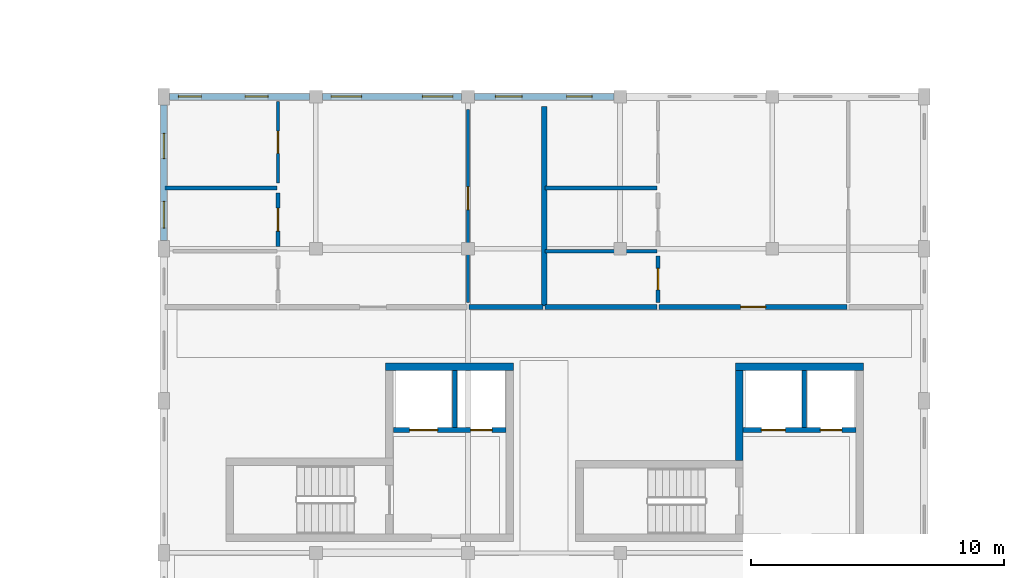
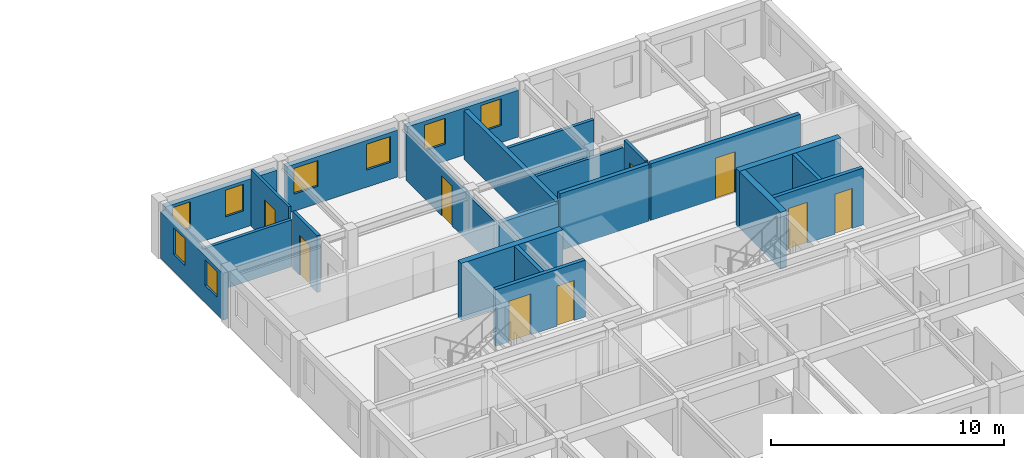
# One storey, part 11 of 23: 22 walls, 9 doors, 8 windows, 17 openings.
"""IFC4 building model written with IfcOpenShell, lengths in metres."""

import ifcopenshell
import ifcopenshell.guid

model = None  # the IFC model being written
_history = None  # IfcOwnerHistory: only IFC2X3 demands one
_inside = {}  # id of a spatial element -> (the spatial element, [elements in it])
_under = {}  # id of a project, library or spatial element -> (it, [spatial elements below it])
_declared = {}  # id of a project -> (the project, [libraries it declares])
_typed = {}  # id of a type object -> (the type object, [elements of that type])
_made_of = {}  # id of a material, layer set ... -> (it, [elements and type objects made of it])


def new_model(schema):
    """Start an empty IFC model of exactly this schema.

    Asked for "IFC4X3", IfcOpenShell would pick the latest addendum, in which some entities
    have other attributes; the version numbers below select the first issue.
    IFC2X3 requires an IfcOwnerHistory on every rooted entity: one is made here for all.
    """
    global model, _history
    if schema == "IFC4X3":
        model = ifcopenshell.file(schema_version=(4, 3, 0, 0))
    else:
        model = ifcopenshell.file(schema=schema)
    _inside.clear()
    _under.clear()
    _declared.clear()
    _typed.clear()
    _made_of.clear()
    _history = None
    if model.schema == "IFC2X3":
        org = make("IfcOrganization", Name="unknown")
        user = make(
            "IfcPersonAndOrganization",
            ThePerson=make("IfcPerson", FamilyName="unknown"),
            TheOrganization=org,
        )
        app = make(
            "IfcApplication",
            ApplicationDeveloper=org,
            Version="unknown",
            ApplicationFullName="unknown",
            ApplicationIdentifier="unknown",
        )
        _history = make(
            "IfcOwnerHistory",
            OwningUser=user,
            OwningApplication=app,
            ChangeAction="ADDED",
            CreationDate=0,
        )
    return model


def make(cls, **values):
    """One entity of the class cls with the attributes given. An attribute that is None is left unset."""
    return model.create_entity(
        cls, **{name: value for name, value in values.items() if value is not None}
    )


def rooted(cls, **values):
    """An entity with a GlobalId (a new one), such as an element, a storey or a relation."""
    return make(cls, GlobalId=ifcopenshell.guid.new(), OwnerHistory=_history, **values)


def si_unit(unit_type, name, prefix=None):
    """IfcSIUnit, for example si_unit("LENGTHUNIT", "METRE", prefix="MILLI")."""
    return make("IfcSIUnit", UnitType=unit_type, Prefix=prefix, Name=name)


def assignment(units):
    """IfcUnitAssignment: the units of a project."""
    return None if units is None else make("IfcUnitAssignment", Units=units)


def point(xyz):
    """IfcCartesianPoint."""
    return None if xyz is None else make("IfcCartesianPoint", Coordinates=xyz)


def direction(xyz):
    """IfcDirection."""
    return None if xyz is None else make("IfcDirection", DirectionRatios=xyz)


def frame(location, z_axis=None, x_axis=None):
    """IfcAxis2Placement3D, a coordinate frame: its origin and axes. An axis left out is left unset."""
    return make(
        "IfcAxis2Placement3D",
        Location=point(location),
        Axis=direction(z_axis),
        RefDirection=direction(x_axis),
    )


def frame_2d(location, x_axis=None):
    """IfcAxis2Placement2D, a coordinate frame in the plane: its origin and x axis."""
    return make(
        "IfcAxis2Placement2D", Location=point(location), RefDirection=direction(x_axis)
    )


def origin():
    """The frame at (0, 0, 0) with its axes left unset."""
    return frame((0.0, 0.0, 0.0))


def place(relative_to, where):
    """IfcLocalPlacement: puts the frame where relative to a parent placement (None: the world)."""
    return make(
        "IfcLocalPlacement", PlacementRelTo=relative_to, RelativePlacement=where
    )


def context(
    kind, dimensions, precision=None, world=None, true_north=None, identifier=None
):
    """IfcGeometricRepresentationContext, for example the 3D "Model" context."""
    return make(
        "IfcGeometricRepresentationContext",
        ContextIdentifier=identifier,
        ContextType=kind,
        CoordinateSpaceDimension=dimensions,
        Precision=precision,
        WorldCoordinateSystem=world,
        TrueNorth=true_north,
    )


def subcontext(parent, identifier, kind, view, scale=None):
    """IfcGeometricRepresentationSubContext, for example "Body" below "Model"."""
    return make(
        "IfcGeometricRepresentationSubContext",
        ContextIdentifier=identifier,
        ContextType=kind,
        ParentContext=parent,
        TargetScale=scale,
        TargetView=view,
    )


def project(units=None, contexts=None):
    """IfcProject with its units and contexts."""
    return rooted(
        "IfcProject",
        Name="project",
        RepresentationContexts=contexts,
        UnitsInContext=assignment(units),
    )


def spatial(cls, under=None, at=None, **own):
    """A site, building, storey or space (cls), placed at a placement, below another one or the project."""
    s = rooted(cls, ObjectPlacement=at, **own)
    if under is not None:
        _under.setdefault(under.id(), (under, []))[1].append(s)
    return s


def profile(cls, at=None, kind="AREA", **sizes):
    """A parametric profile (cls). Its sizes go by their IFC names, for example OverallWidth=200.0."""
    return make(cls, ProfileType=kind, Position=at, **sizes)


def rectangle(**sizes):
    """IfcRectangleProfileDef."""
    return profile("IfcRectangleProfileDef", **sizes)


def extrude(swept, where, along, depth):
    """IfcExtrudedAreaSolid: the profile swept, set in the frame where, extruded along a direction by depth."""
    return make(
        "IfcExtrudedAreaSolid",
        SweptArea=swept,
        Position=where,
        ExtrudedDirection=direction(along),
        Depth=depth,
    )


def shape(context_of_items, identifier, shape_type, items):
    """IfcShapeRepresentation: the items that make up one representation, for example the "Body"."""
    return make(
        "IfcShapeRepresentation",
        ContextOfItems=context_of_items,
        RepresentationIdentifier=identifier,
        RepresentationType=shape_type,
        Items=items,
    )


def material(Name=None, Category=None):
    """IfcMaterial."""
    return make("IfcMaterial", Name=Name, Category=Category)


def layer(
    of_material, thickness, ventilated=None, Name=None, Category=None, Priority=None
):
    """IfcMaterialLayer: one layer of a wall or slab, of a material (None: an air gap)."""
    return make(
        "IfcMaterialLayer",
        Material=of_material,
        LayerThickness=thickness,
        IsVentilated=ventilated,
        Name=Name,
        Category=Category,
        Priority=Priority,
    )


def layer_set(layers, Name=None):
    """IfcMaterialLayerSet."""
    return make("IfcMaterialLayerSet", MaterialLayers=layers, LayerSetName=Name)


def made_of(thing, what):
    """Note that an element or type object is made of a material, layer set ...; save() writes the relation."""
    if what is not None:
        _made_of.setdefault(what.id(), (what, []))[1].append(thing)
    return thing


def type_object(cls, material=None, **own):
    """A type object (cls), such as IfcWallType, which elements share."""
    return made_of(rooted(cls, **own), material)


def element(
    cls,
    number,
    at=None,
    inside=None,
    cuts=None,
    type_object=None,
    material=None,
    context=None,
    identifier="Body",
    shape_type=None,
    held_by="IfcProductDefinitionShape",
    body=None,
    shapes=None,
    **own,
):
    """One element of the class cls, such as IfcWall. Its Tag is "e" and its number.

    at: its placement. inside: the storey or other place that contains it. cuts: it is an
    opening in that element (IfcRelVoidsElement). A single representation is given by context,
    identifier, shape_type and body (its items); several are given by shapes. held_by: the class
    of the entity that holds the representations. save() writes the other relations.
    """
    e = rooted(cls, Tag="e%d" % number, ObjectPlacement=at, **own)
    if body is not None:
        shapes = [shape(context, identifier, shape_type, body)]
    if shapes is not None:
        e.Representation = make(held_by, Representations=shapes)
    if inside is not None:
        _inside.setdefault(inside.id(), (inside, []))[1].append(e)
    if cuts is not None:
        rooted(
            "IfcRelVoidsElement", RelatingBuildingElement=cuts, RelatedOpeningElement=e
        )
    if type_object is not None:
        _typed.setdefault(type_object.id(), (type_object, []))[1].append(e)
    return made_of(e, material)


def fill(opening, filler):
    """IfcRelFillsElement: the door or window that sits in an opening."""
    return rooted(
        "IfcRelFillsElement",
        RelatingOpeningElement=opening,
        RelatedBuildingElement=filler,
    )


def aggregate(whole, parts):
    """IfcRelAggregates: a whole, such as a stair, and the parts it consists of."""
    return rooted("IfcRelAggregates", RelatingObject=whole, RelatedObjects=parts)


def save(model, path):
    """Write the relations noted so far, then the file.

    IfcRelAggregates (storeys below a building ...), IfcRelContainedInSpatialStructure (elements
    in a storey), IfcRelDefinesByType, IfcRelAssociatesMaterial and IfcRelDeclares: one each for
    every whole, place, type object, material and project.
    """
    for whole, parts in _under.values():
        aggregate(whole, parts)
    for where, things in _inside.values():
        rooted(
            "IfcRelContainedInSpatialStructure",
            RelatedElements=things,
            RelatingStructure=where,
        )
    for kind, things in _typed.values():
        rooted("IfcRelDefinesByType", RelatedObjects=things, RelatingType=kind)
    for what, things in _made_of.values():
        rooted("IfcRelAssociatesMaterial", RelatedObjects=things, RelatingMaterial=what)
    for by, libraries in _declared.values():
        rooted("IfcRelDeclares", RelatingContext=by, RelatedDefinitions=libraries)
    model.write(path)


model = new_model("IFC4")

# Units and contexts
model_context = context("Model", 3, precision=1e-05, world=origin(), true_north=direction((0.0, 1.0)))
body_context = subcontext(model_context, "Body", "Model", "MODEL_VIEW")
ifc_project = project(units=[si_unit("LENGTHUNIT", "METRE"), si_unit("AREAUNIT", "SQUARE_METRE"), si_unit("VOLUMEUNIT", "CUBIC_METRE"), si_unit("PLANEANGLEUNIT", "RADIAN"), si_unit("MASSUNIT", "GRAM", prefix="KILO"), si_unit("POWERUNIT", "WATT"), si_unit("THERMODYNAMICTEMPERATUREUNIT", "KELVIN")], contexts=[model_context])

# Site, building, storey
site_placement = place(None, origin())
site = spatial("IfcSite", under=ifc_project, at=site_placement, CompositionType="ELEMENT")
building_placement = place(site_placement, origin())
building = spatial("IfcBuilding", under=site, at=building_placement, Name="Ruvembo Vaulted Housing Court", CompositionType="ELEMENT")
storey_placement = place(building_placement, frame((0.0, 0.0, 26.89990234375)))
storey = spatial("IfcBuildingStorey", under=building, at=storey_placement, Name="L08", CompositionType="ELEMENT", Elevation=26.89990234375)

# Walls
ifc_material_1 = material(Name="Concrete C35/45", Category="concrete")
ifc_layer_1 = layer(ifc_material_1, 0.300048828125, Name="Concrete C35/45")
ifc_layer_set_1 = layer_set([ifc_layer_1], Name="Concrete C35/45")
wall_type_1 = type_object("IfcWallType", Name="WL-CORE-300", PredefinedType="SHEAR", material=ifc_layer_set_1)
for number, where, z_axis, x_axis, name in (
    (1, (115.800048828125, 19.35009765625, 0.0), (0.0, 0.0, 1.0), (-1.0, 0.0, 0.0), "Core C1 L08 North Shear Wall"),
    (2, (129.60009765625, 19.35009765625, 0.0), (0.0, 0.0, 1.0), (-1.0, 0.0, 0.0), "Core C2 L08 North Shear Wall"),
):
    element("IfcWall", number, at=place(storey_placement, frame(where, z_axis=z_axis, x_axis=x_axis)), inside=storey, type_object=wall_type_1, Name=name, PredefinedType="SHEAR", context=body_context, shape_type="SweptSolid", body=[
        extrude(rectangle(XDim=5.050048828125, YDim=0.300048828125, at=frame_2d((2.52490234375, 0.0))), origin(), (0.0, 0.0, 1.0), 2.97998046875),
    ])
wall_1_placement = place(storey_placement, frame((124.699951171875, 15.64990234375, 0.0), z_axis=(0.0, 0.0, 1.0), x_axis=(0.0, 1.0, 0.0)))
element("IfcWall", 3, at=wall_1_placement, inside=storey, type_object=wall_type_1, Name="Core C2 L08 Upper West Shear Wall", PredefinedType="SHEAR", context=body_context, shape_type="SweptSolid", body=[
    extrude(rectangle(XDim=3.550048828125, YDim=0.300048828125, at=frame_2d((1.77490234375, 0.0))), origin(), (0.0, 0.0, 1.0), 2.97998046875),
])
ifc_material_2 = material(Name="Concrete Blockwork 210", Category="masonry")
ifc_layer_2 = layer(ifc_material_2, 0.2099609375, Name="Concrete Blockwork 210")
ifc_layer_set_2 = layer_set([ifc_layer_2], Name="Concrete Blockwork 210")
wall_type_2 = type_object("IfcWallType", Name="WL-CORR-210", PredefinedType="SOLIDWALL", material=ifc_layer_set_2)
wall_2_placement = place(storey_placement, frame((114.0400390625, 21.699951171875, 0.0), z_axis=(0.0, 0.0, 1.0), x_axis=(1.0, 0.0, 0.0)))
element("IfcWall", 4, at=wall_2_placement, inside=storey, type_object=wall_type_2, Name="L08 Flat C-L08-N1 Corridor Wall 2 WL-INT-L08-02121", PredefinedType="SOLIDWALL", context=body_context, shape_type="SweptSolid", body=[
    extrude(rectangle(XDim=2.919921875, YDim=0.2099609375, at=frame_2d((1.4599609375, 0.0))), origin(), (0.0, 0.0, 1.0), 2.508056640625),
])
wall_3_placement = place(storey_placement, frame((117.0400390625, 21.699951171875, 0.0), z_axis=(0.0, 0.0, 1.0), x_axis=(1.0, 0.0, 0.0)))
element("IfcWall", 5, at=wall_3_placement, inside=storey, type_object=wall_type_2, Name="L08 Flat C-L08-N2 Corridor Wall WL-INT-L08-02123", PredefinedType="SOLIDWALL", context=body_context, shape_type="SweptSolid", body=[
    extrude(rectangle(XDim=4.419921875, YDim=0.2099609375, at=frame_2d((2.2099609375, 0.0))), origin(), (0.0, 0.0, 1.0), 2.97998046875),
])

# Wall, opening, door
wall_4_placement = place(storey_placement, frame((121.5400390625, 21.699951171875, 0.0), z_axis=(0.0, 0.0, 1.0), x_axis=(1.0, 0.0, 0.0)))
wall_4 = element("IfcWall", 6, at=wall_4_placement, inside=storey, type_object=wall_type_2, Name="L08 Flat C-L08-N2 Entrance WL-INT-L08-02124", PredefinedType="SOLIDWALL", context=body_context, shape_type="SweptSolid", body=[
    extrude(rectangle(XDim=7.419921875, YDim=0.2099609375, at=frame_2d((3.7099609375, 0.0))), origin(), (0.0, 0.0, 1.0), 2.97998046875),
])
opening_1_placement = place(wall_4_placement, frame((3.219970703125, 0.0, 0.0)))
opening_1 = element("IfcOpeningElement", 7, at=opening_1_placement, cuts=wall_4, Name="Opening FD2", PredefinedType="OPENING", context=body_context, shape_type="SweptSolid", body=[
    extrude(rectangle(XDim=0.97998046875, YDim=2.14990234375, at=frame_2d((0.489990234375, 1.074951171875))), frame((0.0, 0.114990234375, 0.0), z_axis=(0.0, -1.0, 0.0), x_axis=(1.0, 0.0, 0.0)), (0.0, 0.0, 1.0), 0.22998046875),
])
ifc_material_3 = material(Name="FSC Hardwood and Engineered Timber", Category="wood")
door_type_1 = type_object("IfcDoorType", Name="DR-FLAT-0980x2150", OperationType="NOTDEFINED", PredefinedType="DOOR", material=ifc_material_3)
door_1_placement = place(opening_1_placement, origin())
door_1 = element("IfcDoor", 8, at=door_1_placement, inside=storey, type_object=door_type_1, Name="L08 Flat C-L08-N2 Entrance Door DR-INT-L08-01183", OperationType="SINGLE_SWING_LEFT", OverallHeight=2.14990234375, OverallWidth=0.97998046875, PredefinedType="DOOR", context=body_context, shape_type="SweptSolid", body=[
    extrude(rectangle(XDim=0.97998046875, YDim=2.14990234375, at=frame_2d((0.489990234375, 1.074951171875))), frame((0.0, 0.02490234375, 0.0), z_axis=(0.0, -1.0, 0.0), x_axis=(1.0, 0.0, 0.0)), (0.0, 0.0, 1.0), 0.050048828125),
])
fill(opening_1, door_1)

# Wall
ifc_material_4 = material(Name="Acoustic Masonry Demising 220", Category="masonry")
ifc_layer_3 = layer(ifc_material_4, 0.219970703125, Name="Acoustic Masonry Demising 220")
ifc_layer_set_3 = layer_set([ifc_layer_3], Name="Acoustic Masonry Demising 220")
wall_type_3 = type_object("IfcWallType", Name="WL-DEM-200", PredefinedType="SOLIDWALL", material=ifc_layer_set_3)
wall_5_placement = place(storey_placement, frame((117.0, 21.739990234375, 0.0), z_axis=(0.0, 0.0, 1.0), x_axis=(0.0, 1.0, 0.0)))
element("IfcWall", 9, at=wall_5_placement, inside=storey, type_object=wall_type_3, Name="L08 Demising C-L08-N1 WL-INT-L08-02113", PredefinedType="SOLIDWALL", context=body_context, shape_type="SweptSolid", body=[
    extrude(rectangle(XDim=7.8701171875, YDim=0.219970703125, at=frame_2d((3.93505859375, 0.0))), origin(), (0.0, 0.0, 1.0), 2.548095703125),
])

# Wall, openings, windows
ifc_material_5 = material(Name="Rendered Masonry 260", Category="masonry")
ifc_layer_4 = layer(ifc_material_5, 0.260009765625, Name="Rendered Masonry 260")
ifc_layer_set_4 = layer_set([ifc_layer_4], Name="Rendered Masonry 260")
wall_type_4 = type_object("IfcWallType", Name="WL-EXT-260", PredefinedType="STANDARD", material=ifc_layer_set_4)
wall_6_placement = place(storey_placement, frame((119.75, 30.0, 0.0), z_axis=(0.0, 0.0, 1.0), x_axis=(-1.0, 0.0, 0.0)))
wall_6 = element("IfcWall", 10, at=wall_6_placement, inside=storey, type_object=wall_type_4, Name="Block C L08 Exterior Wall COURTYARD #3", PredefinedType="STANDARD", context=body_context, shape_type="SweptSolid", body=[
    extrude(rectangle(XDim=5.5, YDim=0.260009765625, at=frame_2d((2.75, 0.0))), origin(), (0.0, 0.0, 1.0), 2.462158203125),
])
opening_2_placement = place(wall_6_placement, frame((0.85498046875, 0.0, 0.89990234375)))
opening_2 = element("IfcOpeningElement", 11, at=opening_2_placement, cuts=wall_6, Name="Opening W08", PredefinedType="OPENING", context=body_context, shape_type="SweptSolid", body=[
    extrude(rectangle(XDim=1.0, YDim=1.39990234375, at=frame_2d((0.5, 0.699951171875))), frame((0.0, 0.139892578125, 0.0), z_axis=(0.0, -1.0, 0.0), x_axis=(1.0, 0.0, 0.0)), (0.0, 0.0, 1.0), 0.280029296875),
])
opening_3_placement = place(wall_6_placement, frame((3.6201171875, 0.0, 0.89990234375)))
opening_3 = element("IfcOpeningElement", 12, at=opening_3_placement, cuts=wall_6, Name="Opening W09", PredefinedType="OPENING", context=body_context, shape_type="SweptSolid", body=[
    extrude(rectangle(XDim=1.050048828125, YDim=1.35009765625, at=frame_2d((0.52490234375, 0.675048828125))), frame((0.0, 0.139892578125, 0.0), z_axis=(0.0, -1.0, 0.0), x_axis=(1.0, 0.0, 0.0)), (0.0, 0.0, 1.0), 0.280029296875),
])
ifc_material_6 = material(Name="Double Solar-Control Glazing in Aluminium Frame", Category="aluminium")
window_type_1 = type_object("IfcWindowType", Name="WIN-1000x1400", PartitioningType="SINGLE_PANEL", PredefinedType="WINDOW", material=ifc_material_6)
window_1_placement = place(opening_2_placement, origin())
window_1 = element("IfcWindow", 13, at=window_1_placement, inside=storey, type_object=window_type_1, Name="Block C L08 Window #1430", OverallHeight=1.39990234375, OverallWidth=1.0, PartitioningType="SINGLE_PANEL", PredefinedType="WINDOW", context=body_context, shape_type="SweptSolid", body=[
    extrude(rectangle(XDim=1.0, YDim=1.39990234375, at=frame_2d((0.5, 0.699951171875))), frame((0.0, 0.030029296875, 0.0), z_axis=(0.0, -1.0, 0.0), x_axis=(1.0, 0.0, 0.0)), (0.0, 0.0, 1.0), 0.06005859375),
])
fill(opening_2, window_1)
window_type_2 = type_object("IfcWindowType", Name="WIN-1050x1350", PartitioningType="SINGLE_PANEL", PredefinedType="WINDOW", material=ifc_material_6)
window_2_placement = place(opening_3_placement, origin())
window_2 = element("IfcWindow", 14, at=window_2_placement, inside=storey, type_object=window_type_2, Name="Block C L08 Window #1431", OverallHeight=1.35009765625, OverallWidth=1.050048828125, PartitioningType="SINGLE_PANEL", PredefinedType="WINDOW", context=body_context, shape_type="SweptSolid", body=[
    extrude(rectangle(XDim=1.050048828125, YDim=1.35009765625, at=frame_2d((0.52490234375, 0.675048828125))), frame((0.0, 0.030029296875, 0.0), z_axis=(0.0, -1.0, 0.0), x_axis=(1.0, 0.0, 0.0)), (0.0, 0.0, 1.0), 0.06005859375),
])
fill(opening_3, window_2)

wall_7_placement = place(storey_placement, frame((113.75, 30.0, 0.0), z_axis=(0.0, 0.0, 1.0), x_axis=(-1.0, 0.0, 0.0)))
wall_7 = element("IfcWall", 15, at=wall_7_placement, inside=storey, type_object=wall_type_4, Name="Block C L08 Exterior Wall COURTYARD #4", PredefinedType="STANDARD", context=body_context, shape_type="SweptSolid", body=[
    extrude(rectangle(XDim=5.5, YDim=0.260009765625, at=frame_2d((2.75, 0.0))), origin(), (0.0, 0.0, 1.0), 2.462158203125),
])
opening_4_placement = place(wall_7_placement, frame((0.35009765625, 0.0, 0.89990234375)))
opening_4 = element("IfcOpeningElement", 16, at=opening_4_placement, cuts=wall_7, Name="Opening W12", PredefinedType="OPENING", context=body_context, shape_type="SweptSolid", body=[
    extrude(rectangle(XDim=1.199951171875, YDim=1.35009765625, at=frame_2d((0.60009765625, 0.675048828125))), frame((0.0, 0.139892578125, 0.0), z_axis=(0.0, -1.0, 0.0), x_axis=(1.0, 0.0, 0.0)), (0.0, 0.0, 1.0), 0.280029296875),
])
opening_5_placement = place(wall_7_placement, frame((3.949951171875, 0.0, 0.89990234375)))
opening_5 = element("IfcOpeningElement", 17, at=opening_5_placement, cuts=wall_7, Name="Opening W12", PredefinedType="OPENING", context=body_context, shape_type="SweptSolid", body=[
    extrude(rectangle(XDim=1.199951171875, YDim=1.35009765625, at=frame_2d((0.60009765625, 0.675048828125))), frame((0.0, 0.139892578125, 0.0), z_axis=(0.0, -1.0, 0.0), x_axis=(1.0, 0.0, 0.0)), (0.0, 0.0, 1.0), 0.280029296875),
])
window_type_3 = type_object("IfcWindowType", Name="WIN-1200x1350", PartitioningType="SINGLE_PANEL", PredefinedType="WINDOW", material=ifc_material_6)
window_3_placement = place(opening_4_placement, origin())
window_3 = element("IfcWindow", 18, at=window_3_placement, inside=storey, type_object=window_type_3, Name="Block C L08 Window #1432", OverallHeight=1.35009765625, OverallWidth=1.199951171875, PartitioningType="SINGLE_PANEL", PredefinedType="WINDOW", context=body_context, shape_type="SweptSolid", body=[
    extrude(rectangle(XDim=1.199951171875, YDim=1.35009765625, at=frame_2d((0.60009765625, 0.675048828125))), frame((0.0, 0.030029296875, 0.0), z_axis=(0.0, -1.0, 0.0), x_axis=(1.0, 0.0, 0.0)), (0.0, 0.0, 1.0), 0.06005859375),
])
fill(opening_4, window_3)
window_4_placement = place(opening_5_placement, origin())
window_4 = element("IfcWindow", 19, at=window_4_placement, inside=storey, type_object=window_type_3, Name="Block C L08 Window #1433", OverallHeight=1.35009765625, OverallWidth=1.199951171875, PartitioningType="SINGLE_PANEL", PredefinedType="WINDOW", context=body_context, shape_type="SweptSolid", body=[
    extrude(rectangle(XDim=1.199951171875, YDim=1.35009765625, at=frame_2d((0.60009765625, 0.675048828125))), frame((0.0, 0.030029296875, 0.0), z_axis=(0.0, -1.0, 0.0), x_axis=(1.0, 0.0, 0.0)), (0.0, 0.0, 1.0), 0.06005859375),
])
fill(opening_5, window_4)

wall_8_placement = place(storey_placement, frame((107.75, 30.0, 0.0), z_axis=(0.0, 0.0, 1.0), x_axis=(-1.0, 0.0, 0.0)))
wall_8 = element("IfcWall", 20, at=wall_8_placement, inside=storey, type_object=wall_type_4, Name="Block C L08 Exterior Wall COURTYARD #5", PredefinedType="STANDARD", context=body_context, shape_type="SweptSolid", body=[
    extrude(rectangle(XDim=5.52490234375, YDim=0.260009765625, at=frame_2d((2.762451171875, 0.0))), origin(), (0.0, 0.0, 1.0), 2.462158203125),
])
opening_6_placement = place(wall_8_placement, frame((1.639892578125, 0.0, 0.89990234375)))
opening_6 = element("IfcOpeningElement", 21, at=opening_6_placement, cuts=wall_8, Name="Opening W05", PredefinedType="OPENING", context=body_context, shape_type="SweptSolid", body=[
    extrude(rectangle(XDim=0.89990234375, YDim=1.39990234375, at=frame_2d((0.449951171875, 0.699951171875))), frame((0.0, 0.139892578125, 0.0), z_axis=(0.0, -1.0, 0.0), x_axis=(1.0, 0.0, 0.0)), (0.0, 0.0, 1.0), 0.280029296875),
])
opening_7_placement = place(wall_8_placement, frame((4.27490234375, 0.0, 0.89990234375)))
opening_7 = element("IfcOpeningElement", 22, at=opening_7_placement, cuts=wall_8, Name="Opening W05", PredefinedType="OPENING", context=body_context, shape_type="SweptSolid", body=[
    extrude(rectangle(XDim=0.89990234375, YDim=1.39990234375, at=frame_2d((0.449951171875, 0.699951171875))), frame((0.0, 0.139892578125, 0.0), z_axis=(0.0, -1.0, 0.0), x_axis=(1.0, 0.0, 0.0)), (0.0, 0.0, 1.0), 0.280029296875),
])
window_type_4 = type_object("IfcWindowType", Name="WIN-0900x1400", PartitioningType="SINGLE_PANEL", PredefinedType="WINDOW", material=ifc_material_6)
window_5_placement = place(opening_6_placement, origin())
window_5 = element("IfcWindow", 23, at=window_5_placement, inside=storey, type_object=window_type_4, Name="Block C L08 Window #1434", OverallHeight=1.39990234375, OverallWidth=0.89990234375, PartitioningType="SINGLE_PANEL", PredefinedType="WINDOW", context=body_context, shape_type="SweptSolid", body=[
    extrude(rectangle(XDim=0.89990234375, YDim=1.39990234375, at=frame_2d((0.449951171875, 0.699951171875))), frame((0.0, 0.030029296875, 0.0), z_axis=(0.0, -1.0, 0.0), x_axis=(1.0, 0.0, 0.0)), (0.0, 0.0, 1.0), 0.06005859375),
])
fill(opening_6, window_5)
window_6_placement = place(opening_7_placement, origin())
window_6 = element("IfcWindow", 24, at=window_6_placement, inside=storey, type_object=window_type_4, Name="Block C L08 Window #1435", OverallHeight=1.39990234375, OverallWidth=0.89990234375, PartitioningType="SINGLE_PANEL", PredefinedType="WINDOW", context=body_context, shape_type="SweptSolid", body=[
    extrude(rectangle(XDim=0.89990234375, YDim=1.39990234375, at=frame_2d((0.449951171875, 0.699951171875))), frame((0.0, 0.030029296875, 0.0), z_axis=(0.0, -1.0, 0.0), x_axis=(1.0, 0.0, 0.0)), (0.0, 0.0, 1.0), 0.06005859375),
])
fill(opening_7, window_6)

wall_9_placement = place(storey_placement, frame((102.0, 29.675048828125, 0.0), z_axis=(0.0, 0.0, 1.0), x_axis=(0.0, -1.0, 0.0)))
wall_9 = element("IfcWall", 25, at=wall_9_placement, inside=storey, type_object=wall_type_4, Name="Block C L08 Exterior Wall WEST #1", PredefinedType="STANDARD", context=body_context, shape_type="SweptSolid", body=[
    extrude(rectangle(XDim=5.35009765625, YDim=0.260009765625, at=frame_2d((2.675048828125, 0.0))), origin(), (0.0, 0.0, 1.0), 2.462158203125),
])
opening_8_placement = place(wall_9_placement, frame((1.117431640625, 0.0, 0.89990234375)))
opening_8 = element("IfcOpeningElement", 26, at=opening_8_placement, cuts=wall_9, Name="Opening W08", PredefinedType="OPENING", context=body_context, shape_type="SweptSolid", body=[
    extrude(rectangle(XDim=1.0, YDim=1.39990234375, at=frame_2d((0.5, 0.699951171875))), frame((0.0, 0.139892578125, 0.0), z_axis=(0.0, -1.0, 0.0), x_axis=(1.0, 0.0, 0.0)), (0.0, 0.0, 1.0), 0.280029296875),
])
opening_9_placement = place(wall_9_placement, frame((3.8076171875, 0.0, 0.89990234375)))
opening_9 = element("IfcOpeningElement", 27, at=opening_9_placement, cuts=wall_9, Name="Opening W09", PredefinedType="OPENING", context=body_context, shape_type="SweptSolid", body=[
    extrude(rectangle(XDim=1.050048828125, YDim=1.35009765625, at=frame_2d((0.52490234375, 0.675048828125))), frame((0.0, 0.139892578125, 0.0), z_axis=(0.0, -1.0, 0.0), x_axis=(1.0, 0.0, 0.0)), (0.0, 0.0, 1.0), 0.280029296875),
])
window_7_placement = place(opening_8_placement, origin())
window_7 = element("IfcWindow", 28, at=window_7_placement, inside=storey, type_object=window_type_1, Name="Block C L08 Window #1436", OverallHeight=1.39990234375, OverallWidth=1.0, PartitioningType="SINGLE_PANEL", PredefinedType="WINDOW", context=body_context, shape_type="SweptSolid", body=[
    extrude(rectangle(XDim=1.0, YDim=1.39990234375, at=frame_2d((0.5, 0.699951171875))), frame((0.0, 0.030029296875, 0.0), z_axis=(0.0, -1.0, 0.0), x_axis=(1.0, 0.0, 0.0)), (0.0, 0.0, 1.0), 0.06005859375),
])
fill(opening_8, window_7)
window_8_placement = place(opening_9_placement, origin())
window_8 = element("IfcWindow", 29, at=window_8_placement, inside=storey, type_object=window_type_2, Name="Block C L08 Window #1437", OverallHeight=1.35009765625, OverallWidth=1.050048828125, PartitioningType="SINGLE_PANEL", PredefinedType="WINDOW", context=body_context, shape_type="SweptSolid", body=[
    extrude(rectangle(XDim=1.050048828125, YDim=1.35009765625, at=frame_2d((0.52490234375, 0.675048828125))), frame((0.0, 0.030029296875, 0.0), z_axis=(0.0, -1.0, 0.0), x_axis=(1.0, 0.0, 0.0)), (0.0, 0.0, 1.0), 0.06005859375),
])
fill(opening_9, window_8)

# Wall, opening, door
ifc_material_7 = material(Name="Plasterboard Stud Partition 125", Category="gypsum")
ifc_layer_5 = layer(ifc_material_7, 0.125, Name="Plasterboard Stud Partition 125")
ifc_layer_set_5 = layer_set([ifc_layer_5], Name="Plasterboard Stud Partition 125")
wall_type_5 = type_object("IfcWallType", Name="WL-PART-125", PredefinedType="PARTITIONING", material=ifc_layer_set_5)
wall_10_placement = place(storey_placement, frame((106.5, 26.590087890625, 0.0), z_axis=(0.0, 0.0, 1.0), x_axis=(0.0, 1.0, 0.0)))
wall_10 = element("IfcWall", 30, at=wall_10_placement, inside=storey, type_object=wall_type_5, Name="L08 Flat C-L08-N1 Bedroom 1 WL-INT-L08-02116", PredefinedType="PARTITIONING", context=body_context, shape_type="SweptSolid", body=[
    extrude(rectangle(XDim=3.219970703125, YDim=0.125, at=frame_2d((1.60986328125, 0.0))), origin(), (0.0, 0.0, 1.0), 2.97998046875),
])
opening_10_placement = place(wall_10_placement, frame((1.169921875, 0.0, 0.0)))
opening_10 = element("IfcOpeningElement", 31, at=opening_10_placement, cuts=wall_10, Name="Opening ID3", PredefinedType="OPENING", context=body_context, shape_type="SweptSolid", body=[
    extrude(rectangle(XDim=0.8798828125, YDim=2.10009765625, at=frame_2d((0.43994140625, 1.050048828125))), frame((0.0, 0.072509765625, 0.0), z_axis=(0.0, -1.0, 0.0), x_axis=(1.0, 0.0, 0.0)), (0.0, 0.0, 1.0), 0.14501953125),
])
door_type_2 = type_object("IfcDoorType", Name="DR-ROOM-0880x2100", OperationType="NOTDEFINED", PredefinedType="DOOR", material=ifc_material_3)
door_2_placement = place(opening_10_placement, origin())
door_2 = element("IfcDoor", 32, at=door_2_placement, inside=storey, type_object=door_type_2, Name="L08 Flat C-L08-N1 Bedroom 1 Door DR-INT-L08-01179", OperationType="SINGLE_SWING_LEFT", OverallHeight=2.10009765625, OverallWidth=0.8798828125, PredefinedType="DOOR", context=body_context, shape_type="SweptSolid", body=[
    extrude(rectangle(XDim=0.8798828125, YDim=2.10009765625, at=frame_2d((0.43994140625, 1.050048828125))), frame((0.0, 0.02490234375, 0.0), z_axis=(0.0, -1.0, 0.0), x_axis=(1.0, 0.0, 0.0)), (0.0, 0.0, 1.0), 0.050048828125),
])
fill(opening_10, door_2)

wall_11_placement = place(storey_placement, frame((114.0, 21.889892578125, 0.0), z_axis=(0.0, 0.0, 1.0), x_axis=(0.0, 1.0, 0.0)))
wall_11 = element("IfcWall", 33, at=wall_11_placement, inside=storey, type_object=wall_type_5, Name="L08 Flat C-L08-N1 Bedroom 2 WL-INT-L08-02122", PredefinedType="PARTITIONING", context=body_context, shape_type="SweptSolid", body=[
    extrude(rectangle(XDim=7.60009765625, YDim=0.125, at=frame_2d((3.800048828125, 0.0))), origin(), (0.0, 0.0, 1.0), 2.4580078125),
])
opening_11_placement = place(wall_11_placement, frame((3.64990234375, 0.0, 0.0)))
opening_11 = element("IfcOpeningElement", 34, at=opening_11_placement, cuts=wall_11, Name="Opening ID1", PredefinedType="OPENING", context=body_context, shape_type="SweptSolid", body=[
    extrude(rectangle(XDim=0.89990234375, YDim=2.10009765625, at=frame_2d((0.449951171875, 1.050048828125))), frame((0.0, 0.072509765625, 0.0), z_axis=(0.0, -1.0, 0.0), x_axis=(1.0, 0.0, 0.0)), (0.0, 0.0, 1.0), 0.14501953125),
])
door_type_3 = type_object("IfcDoorType", Name="DR-ROOM-0900x2100", OperationType="NOTDEFINED", PredefinedType="DOOR", material=ifc_material_3)
door_3_placement = place(opening_11_placement, origin())
door_3 = element("IfcDoor", 35, at=door_3_placement, inside=storey, type_object=door_type_3, Name="L08 Flat C-L08-N1 Bedroom 2 Door DR-INT-L08-01182", OperationType="SINGLE_SWING_RIGHT", OverallHeight=2.10009765625, OverallWidth=0.89990234375, PredefinedType="DOOR", context=body_context, shape_type="SweptSolid", body=[
    extrude(rectangle(XDim=0.89990234375, YDim=2.10009765625, at=frame_2d((0.449951171875, 1.050048828125))), frame((0.0, 0.02490234375, 0.0), z_axis=(0.0, -1.0, 0.0), x_axis=(1.0, 0.0, 0.0)), (0.0, 0.0, 1.0), 0.050048828125),
])
fill(opening_11, door_3)

# Wall
ifc_material_8 = material(Name="Moisture-Resistant Wet Partition 150", Category="gypsum")
ifc_layer_6 = layer(ifc_material_8, 0.14990234375, Name="Moisture-Resistant Wet Partition 150")
ifc_layer_set_6 = layer_set([ifc_layer_6], Name="Moisture-Resistant Wet Partition 150")
wall_type_6 = type_object("IfcWallType", Name="WL-PART-150", PredefinedType="PARTITIONING", material=ifc_layer_set_6)
wall_12_placement = place(storey_placement, frame((102.0400390625, 26.39990234375, 0.0), z_axis=(0.0, 0.0, 1.0), x_axis=(1.0, 0.0, 0.0)))
element("IfcWall", 36, at=wall_12_placement, inside=storey, type_object=wall_type_6, Name="L08 Flat C-L08-N1 Wet Wall 1 WL-INT-L08-02119", PredefinedType="PARTITIONING", context=body_context, shape_type="SweptSolid", body=[
    extrude(rectangle(XDim=4.419921875, YDim=0.14990234375, at=frame_2d((2.2099609375, 0.0))), origin(), (0.0, 0.0, 1.0), 2.462158203125),
])

# Wall, opening, door
wall_13_placement = place(storey_placement, frame((121.5, 21.889892578125, 0.0), z_axis=(0.0, 0.0, 1.0), x_axis=(0.0, 1.0, 0.0)))
wall_13 = element("IfcWall", 37, at=wall_13_placement, inside=storey, type_object=wall_type_6, Name="L08 Flat C-L08-N2 Bathroom WL-INT-L08-02127", PredefinedType="PARTITIONING", context=body_context, shape_type="SweptSolid", body=[
    extrude(rectangle(XDim=1.820068359375, YDim=0.14990234375, at=frame_2d((0.91015625, 0.0))), origin(), (0.0, 0.0, 1.0), 2.97998046875),
])
opening_12_placement = place(wall_13_placement, frame((0.485107421875, 0.0, 0.0)))
opening_12 = element("IfcOpeningElement", 38, at=opening_12_placement, cuts=wall_13, Name="Opening ID2", PredefinedType="OPENING", context=body_context, shape_type="SweptSolid", body=[
    extrude(rectangle(XDim=0.85009765625, YDim=2.10009765625, at=frame_2d((0.425048828125, 1.050048828125))), frame((0.0, 0.0849609375, 0.0), z_axis=(0.0, -1.0, 0.0), x_axis=(1.0, 0.0, 0.0)), (0.0, 0.0, 1.0), 0.169921875),
])
door_type_4 = type_object("IfcDoorType", Name="DR-WET-0850x2100", OperationType="NOTDEFINED", PredefinedType="DOOR", material=ifc_material_3)
door_4_placement = place(opening_12_placement, origin())
door_4 = element("IfcDoor", 39, at=door_4_placement, inside=storey, type_object=door_type_4, Name="L08 Flat C-L08-N2 Bathroom Door DR-INT-L08-01186", OperationType="SINGLE_SWING_RIGHT", OverallHeight=2.10009765625, OverallWidth=0.85009765625, PredefinedType="DOOR", context=body_context, shape_type="SweptSolid", body=[
    extrude(rectangle(XDim=0.85009765625, YDim=2.10009765625, at=frame_2d((0.425048828125, 1.050048828125))), frame((0.0, 0.02490234375, 0.0), z_axis=(0.0, -1.0, 0.0), x_axis=(1.0, 0.0, 0.0)), (0.0, 0.0, 1.0), 0.050048828125),
])
fill(opening_12, door_4)

# Walls
wall_14_placement = place(storey_placement, frame((117.0400390625, 26.39990234375, 0.0), z_axis=(0.0, 0.0, 1.0), x_axis=(1.0, 0.0, 0.0)))
element("IfcWall", 40, at=wall_14_placement, inside=storey, type_object=wall_type_6, Name="L08 Flat C-L08-N2 Wet Wall 1 WL-INT-L08-02128", PredefinedType="PARTITIONING", context=body_context, shape_type="SweptSolid", body=[
    extrude(rectangle(XDim=4.419921875, YDim=0.14990234375, at=frame_2d((2.2099609375, 0.0))), origin(), (0.0, 0.0, 1.0), 2.4580078125),
])
wall_15_placement = place(storey_placement, frame((117.0400390625, 23.89990234375, 0.0), z_axis=(0.0, 0.0, 1.0), x_axis=(1.0, 0.0, 0.0)))
element("IfcWall", 41, at=wall_15_placement, inside=storey, type_object=wall_type_6, Name="L08 Flat C-L08-N2 Wet Wall 2 WL-INT-L08-02129", PredefinedType="PARTITIONING", context=body_context, shape_type="SweptSolid", body=[
    extrude(rectangle(XDim=4.419921875, YDim=0.14990234375, at=frame_2d((2.2099609375, 0.0))), origin(), (0.0, 0.0, 1.0), 2.508056640625),
])

# Wall, opening, door
ifc_material_9 = material(Name="Acoustic Service Chase Wall 160", Category="gypsum")
ifc_layer_7 = layer(ifc_material_9, 0.159912109375, Name="Acoustic Service Chase Wall 160")
ifc_layer_set_7 = layer_set([ifc_layer_7], Name="Acoustic Service Chase Wall 160")
wall_type_7 = type_object("IfcWallType", Name="WL-PLUMB-160", PredefinedType="PLUMBINGWALL", material=ifc_layer_set_7)
wall_16_placement = place(storey_placement, frame((106.5, 24.090087890625, 0.0), z_axis=(0.0, 0.0, 1.0), x_axis=(0.0, 1.0, 0.0)))
wall_16 = element("IfcWall", 42, at=wall_16_placement, inside=storey, type_object=wall_type_7, Name="L08 Flat C-L08-N1 Kitchen WL-INT-L08-02117", PredefinedType="PLUMBINGWALL", context=body_context, shape_type="SweptSolid", body=[
    extrude(rectangle(XDim=2.119873046875, YDim=0.159912109375, at=frame_2d((1.06005859375, 0.0))), origin(), (0.0, 0.0, 1.0), 2.97998046875),
])
opening_13_placement = place(wall_16_placement, frame((0.610107421875, 0.0, 0.0)))
opening_13 = element("IfcOpeningElement", 43, at=opening_13_placement, cuts=wall_16, Name="Opening ID1", PredefinedType="OPENING", context=body_context, shape_type="SweptSolid", body=[
    extrude(rectangle(XDim=0.89990234375, YDim=2.10009765625, at=frame_2d((0.449951171875, 1.050048828125))), frame((0.0, 0.08984375, 0.0), z_axis=(0.0, -1.0, 0.0), x_axis=(1.0, 0.0, 0.0)), (0.0, 0.0, 1.0), 0.179931640625),
])
door_5_placement = place(opening_13_placement, origin())
door_5 = element("IfcDoor", 44, at=door_5_placement, inside=storey, type_object=door_type_3, Name="L08 Flat C-L08-N1 Kitchen Door DR-INT-L08-01180", OperationType="SINGLE_SWING_RIGHT", OverallHeight=2.10009765625, OverallWidth=0.89990234375, PredefinedType="DOOR", context=body_context, shape_type="SweptSolid", body=[
    extrude(rectangle(XDim=0.89990234375, YDim=2.10009765625, at=frame_2d((0.449951171875, 1.050048828125))), frame((0.0, 0.02490234375, 0.0), z_axis=(0.0, -1.0, 0.0), x_axis=(1.0, 0.0, 0.0)), (0.0, 0.0, 1.0), 0.050048828125),
])
fill(opening_13, door_5)

# Wall, openings, doors
ifc_material_10 = material(Name="Fire-Rated Masonry Shaft 180", Category="masonry")
ifc_layer_8 = layer(ifc_material_10, 0.179931640625, Name="Fire-Rated Masonry Shaft 180")
ifc_layer_set_8 = layer_set([ifc_layer_8], Name="Fire-Rated Masonry Shaft 180")
wall_type_8 = type_object("IfcWallType", Name="WL-SHAFT-180", PredefinedType="SOLIDWALL", material=ifc_layer_set_8)
wall_17_placement = place(storey_placement, frame((111.050048828125, 16.85009765625, 0.0), z_axis=(0.0, 0.0, 1.0), x_axis=(1.0, 0.0, 0.0)))
wall_17 = element("IfcWall", 45, at=wall_17_placement, inside=storey, type_object=wall_type_8, Name="Core C1 L08 Lift and Riser Front Wall", PredefinedType="SOLIDWALL", context=body_context, shape_type="SweptSolid", body=[
    extrude(rectangle(XDim=4.449951171875, YDim=0.179931640625, at=frame_2d((2.22509765625, 0.0))), origin(), (0.0, 0.0, 1.0), 2.97998046875),
])
opening_14_placement = place(wall_17_placement, frame((0.64990234375, 0.0, 0.0)))
opening_14 = element("IfcOpeningElement", 46, at=opening_14_placement, cuts=wall_17, Name="Opening LD-LP-C1-L08", PredefinedType="OPENING", context=body_context, shape_type="SweptSolid", body=[
    extrude(rectangle(XDim=1.10009765625, YDim=2.14990234375, at=frame_2d((0.550048828125, 1.074951171875))), frame((0.0, 0.099853515625, 0.0), z_axis=(0.0, -1.0, 0.0), x_axis=(1.0, 0.0, 0.0)), (0.0, 0.0, 1.0), 0.199951171875),
])
opening_15_placement = place(wall_17_placement, frame((3.050048828125, 0.0, 0.0)))
opening_15 = element("IfcOpeningElement", 47, at=opening_15_placement, cuts=wall_17, Name="Opening RD1", PredefinedType="OPENING", context=body_context, shape_type="SweptSolid", body=[
    extrude(rectangle(XDim=0.85009765625, YDim=2.10009765625, at=frame_2d((0.425048828125, 1.050048828125))), frame((0.0, 0.099853515625, 0.0), z_axis=(0.0, -1.0, 0.0), x_axis=(1.0, 0.0, 0.0)), (0.0, 0.0, 1.0), 0.199951171875),
])
ifc_material_11 = material(Name="Brushed Stainless Steel 304", Category="steel")
door_type_5 = type_object("IfcDoorType", Name="DR-LIFT-1100x2150", OperationType="NOTDEFINED", PredefinedType="DOOR", material=ifc_material_11)
door_6_placement = place(opening_14_placement, origin())
door_6 = element("IfcDoor", 48, at=door_6_placement, inside=storey, type_object=door_type_5, Name="Lift LP-C1 L08 Sliding Landing Door", OperationType="SLIDING_TO_LEFT", OverallHeight=2.14990234375, OverallWidth=1.10009765625, PredefinedType="DOOR", context=body_context, shape_type="SweptSolid", body=[
    extrude(rectangle(XDim=1.10009765625, YDim=2.14990234375, at=frame_2d((0.550048828125, 1.074951171875))), frame((0.0, 0.02490234375, 0.0), z_axis=(0.0, -1.0, 0.0), x_axis=(1.0, 0.0, 0.0)), (0.0, 0.0, 1.0), 0.050048828125),
])
fill(opening_14, door_6)
ifc_material_12 = material(Name="Galvanised Painted Steel", Category="steel")
door_type_6 = type_object("IfcDoorType", Name="DR-RISER-0850x2100", OperationType="NOTDEFINED", PredefinedType="DOOR", material=ifc_material_12)
door_7_placement = place(opening_15_placement, frame((0.85009765625, 0.0, 0.0), z_axis=(0.0, 0.0, 1.0), x_axis=(-1.0, 0.0, 0.0)))
door_7 = element("IfcDoor", 49, at=door_7_placement, inside=storey, type_object=door_type_6, Name="Core C1 L08 Service Riser Door", OperationType="SINGLE_SWING_RIGHT", OverallHeight=2.10009765625, OverallWidth=0.85009765625, PredefinedType="DOOR", context=body_context, shape_type="SweptSolid", body=[
    extrude(rectangle(XDim=0.85009765625, YDim=2.10009765625, at=frame_2d((0.425048828125, 1.050048828125))), frame((0.0, 0.02490234375, 0.0), z_axis=(0.0, -1.0, 0.0), x_axis=(1.0, 0.0, 0.0)), (0.0, 0.0, 1.0), 0.050048828125),
])
fill(opening_15, door_7)

# Wall
wall_18_placement = place(storey_placement, frame((113.469970703125, 16.93994140625, 0.0), z_axis=(0.0, 0.0, 1.0), x_axis=(0.0, 1.0, 0.0)))
element("IfcWall", 50, at=wall_18_placement, inside=storey, type_object=wall_type_8, Name="Core C1 L08 Shaft-Riser Divider Wall", PredefinedType="SOLIDWALL", context=body_context, shape_type="SweptSolid", body=[
    extrude(rectangle(XDim=2.260009765625, YDim=0.179931640625, at=frame_2d((1.1298828125, 0.0))), origin(), (0.0, 0.0, 1.0), 2.97998046875),
])

# Wall, openings, doors
wall_19_placement = place(storey_placement, frame((124.85009765625, 16.85009765625, 0.0), z_axis=(0.0, 0.0, 1.0), x_axis=(1.0, 0.0, 0.0)))
wall_19 = element("IfcWall", 51, at=wall_19_placement, inside=storey, type_object=wall_type_8, Name="Core C2 L08 Lift and Riser Front Wall", PredefinedType="SOLIDWALL", context=body_context, shape_type="SweptSolid", body=[
    extrude(rectangle(XDim=4.449951171875, YDim=0.179931640625, at=frame_2d((2.22509765625, 0.0))), origin(), (0.0, 0.0, 1.0), 2.97998046875),
])
opening_16_placement = place(wall_19_placement, frame((0.72509765625, 0.0, 0.0)))
opening_16 = element("IfcOpeningElement", 52, at=opening_16_placement, cuts=wall_19, Name="Opening LD-LP-C2-L08", PredefinedType="OPENING", context=body_context, shape_type="SweptSolid", body=[
    extrude(rectangle(XDim=0.949951171875, YDim=2.14990234375, at=frame_2d((0.47509765625, 1.074951171875))), frame((0.0, 0.099853515625, 0.0), z_axis=(0.0, -1.0, 0.0), x_axis=(1.0, 0.0, 0.0)), (0.0, 0.0, 1.0), 0.199951171875),
])
opening_17_placement = place(wall_19_placement, frame((3.050048828125, 0.0, 0.0)))
opening_17 = element("IfcOpeningElement", 53, at=opening_17_placement, cuts=wall_19, Name="Opening RD1", PredefinedType="OPENING", context=body_context, shape_type="SweptSolid", body=[
    extrude(rectangle(XDim=0.85009765625, YDim=2.10009765625, at=frame_2d((0.425048828125, 1.050048828125))), frame((0.0, 0.099853515625, 0.0), z_axis=(0.0, -1.0, 0.0), x_axis=(1.0, 0.0, 0.0)), (0.0, 0.0, 1.0), 0.199951171875),
])
door_type_7 = type_object("IfcDoorType", Name="DR-LIFT-0950x2150", OperationType="NOTDEFINED", PredefinedType="DOOR", material=ifc_material_11)
door_8_placement = place(opening_16_placement, origin())
door_8 = element("IfcDoor", 54, at=door_8_placement, inside=storey, type_object=door_type_7, Name="Lift LP-C2 L08 Sliding Landing Door", OperationType="SLIDING_TO_LEFT", OverallHeight=2.14990234375, OverallWidth=0.949951171875, PredefinedType="DOOR", context=body_context, shape_type="SweptSolid", body=[
    extrude(rectangle(XDim=0.949951171875, YDim=2.14990234375, at=frame_2d((0.47509765625, 1.074951171875))), frame((0.0, 0.02490234375, 0.0), z_axis=(0.0, -1.0, 0.0), x_axis=(1.0, 0.0, 0.0)), (0.0, 0.0, 1.0), 0.050048828125),
])
fill(opening_16, door_8)
door_9_placement = place(opening_17_placement, frame((0.85009765625, 0.0, 0.0), z_axis=(0.0, 0.0, 1.0), x_axis=(-1.0, 0.0, 0.0)))
door_9 = element("IfcDoor", 55, at=door_9_placement, inside=storey, type_object=door_type_6, Name="Core C2 L08 Service Riser Door", OperationType="SINGLE_SWING_LEFT", OverallHeight=2.10009765625, OverallWidth=0.85009765625, PredefinedType="DOOR", context=body_context, shape_type="SweptSolid", body=[
    extrude(rectangle(XDim=0.85009765625, YDim=2.10009765625, at=frame_2d((0.425048828125, 1.050048828125))), frame((0.0, 0.02490234375, 0.0), z_axis=(0.0, -1.0, 0.0), x_axis=(1.0, 0.0, 0.0)), (0.0, 0.0, 1.0), 0.050048828125),
])
fill(opening_17, door_9)

# Wall
wall_20_placement = place(storey_placement, frame((127.27001953125, 16.93994140625, 0.0), z_axis=(0.0, 0.0, 1.0), x_axis=(0.0, 1.0, 0.0)))
element("IfcWall", 56, at=wall_20_placement, inside=storey, type_object=wall_type_8, Name="Core C2 L08 Shaft-Riser Divider Wall", PredefinedType="SOLIDWALL", context=body_context, shape_type="SweptSolid", body=[
    extrude(rectangle(XDim=2.260009765625, YDim=0.179931640625, at=frame_2d((1.1298828125, 0.0))), origin(), (0.0, 0.0, 1.0), 2.97998046875),
])

save(model, "model.ifc")
